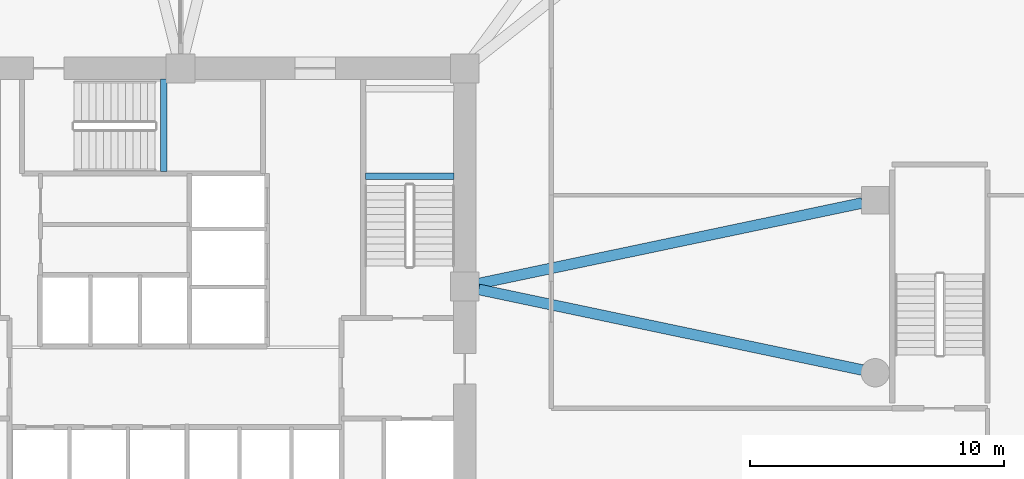
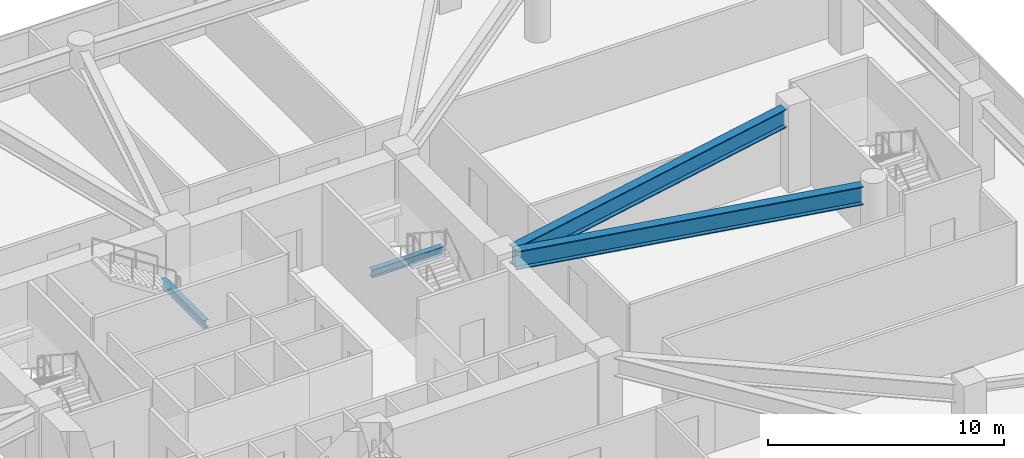
# One storey, part 5 of 21: 4 beams.
"""IFC4 building model written with IfcOpenShell, lengths in metres."""

from ifc_helpers import new_model, si_unit, derived_unit, direction, frame, origin, origin_2d, place, context, subcontext, project, spatial, i_section, extrude, material, material_profile, profile_set, type_object, element, save


model = new_model("IFC4")

# Units and contexts
model_context = context("Model", 3, precision=1e-05, world=origin(), true_north=direction((0.0, 1.0)))
body_context = subcontext(model_context, "Body", "Model", "MODEL_VIEW")
ifc_project = project(units=[si_unit("LENGTHUNIT", "METRE"), si_unit("AREAUNIT", "SQUARE_METRE"), si_unit("VOLUMEUNIT", "CUBIC_METRE"), si_unit("PLANEANGLEUNIT", "RADIAN"), si_unit("MASSUNIT", "GRAM", prefix="KILO"), derived_unit("THERMALTRANSMITTANCEUNIT", [(si_unit("POWERUNIT", "WATT"), 1), (si_unit("LENGTHUNIT", "METRE"), -2), (si_unit("THERMODYNAMICTEMPERATUREUNIT", "KELVIN"), -1)])], contexts=[model_context])

# Site, building, storey
site_placement = place(None, origin())
site = spatial("IfcSite", under=ifc_project, at=site_placement, CompositionType="ELEMENT")
building_placement = place(site_placement, origin())
building = spatial("IfcBuilding", under=site, at=building_placement, Name="Koralith Skygarden Medical Center", CompositionType="ELEMENT")
storey_placement = place(building_placement, frame((0.0, 0.0, 5.39990234375)))
storey = spatial("IfcBuildingStorey", under=building, at=storey_placement, Name="L01", CompositionType="ELEMENT", Elevation=5.39990234375)

# Beams
ifc_material = material(Name="Steel ASTM A992 Grade 50", Category="steel")
ifc_material_profile_1 = material_profile(ifc_material, i_section(OverallWidth=0.260009765625, OverallDepth=0.4150390625, WebThickness=0.010009765625, FlangeThickness=0.016845703125, at=origin_2d()), Name="W16X67")
ifc_profile_set_1 = profile_set([ifc_material_profile_1], Name="Steel ASTM A992 Grade 50")
beam_type_1 = type_object("IfcBeamType", Name="Clinical Floor Joist W16X67", PredefinedType="JOIST", material=ifc_profile_set_1)
beam_1_placement = place(storey_placement, frame((44.280029296875, 30.239990234375, 1.843017578125), z_axis=(1.0, 0.0, 0.0), x_axis=(0.0, 1.0, 0.0)))
element("IfcBeam", 1, at=beam_1_placement, inside=storey, type_object=beam_type_1, Name="L01 Stair ST2 Half-Landing Support Beam 1A", PredefinedType="JOIST", context=body_context, shape_type="SweptSolid", body=[
    extrude(i_section(OverallWidth=0.260009765625, OverallDepth=0.4150390625, WebThickness=0.010009765625, FlangeThickness=0.016845703125, at=origin_2d()), origin(), (0.0, 0.0, 1.0), 3.489990234375),
])
beam_2_placement = place(storey_placement, frame((36.340087890625, 30.43994140625, 1.843017578125), z_axis=(0.0, 1.0, 0.0), x_axis=(-1.0, 0.0, 0.0)))
element("IfcBeam", 2, at=beam_2_placement, inside=storey, type_object=beam_type_1, Name="L01 Stair ST3 Half-Landing Support Beam 1A", PredefinedType="JOIST", context=body_context, shape_type="SweptSolid", body=[
    extrude(i_section(OverallWidth=0.260009765625, OverallDepth=0.4150390625, WebThickness=0.010009765625, FlangeThickness=0.016845703125, at=origin_2d()), origin(), (0.0, 0.0, 1.0), 3.630126953125),
])
ifc_material_profile_2 = material_profile(ifc_material, i_section(OverallWidth=0.423095703125, OverallDepth=0.947998046875, WebThickness=0.02392578125, FlangeThickness=0.042724609375, at=origin_2d()), Name="W36X302")
ifc_profile_set_2 = profile_set([ifc_material_profile_2], Name="Steel ASTM A992 Grade 50")
beam_type_2 = type_object("IfcBeamType", Name="Podium Concourse Girder W36X302", PredefinedType="BEAM", material=ifc_profile_set_2)
for number, where, z_axis, x_axis, name in (
    (3, (48.748046875, 25.784912109375, 3.72607421875), (0.978625652149, -0.205649782288, 0.0), (0.205649782288, 0.978625652149, 0.0), "L01 Podium Radial Girder PRG-08"),
    (4, (48.748046875, 26.014892578125, 3.72607421875), (0.978622472518, 0.205664912619, 0.0), (-0.205664912619, 0.978622472518, 0.0), "L01 Podium Radial Girder PRG-09"),
):
    element("IfcBeam", number, at=place(storey_placement, frame(where, z_axis=z_axis, x_axis=x_axis)), inside=storey, type_object=beam_type_2, Name=name, PredefinedType="BEAM", context=body_context, shape_type="SweptSolid", body=[
        extrude(i_section(OverallWidth=0.423095703125, OverallDepth=0.947998046875, WebThickness=0.02392578125, FlangeThickness=0.042724609375, at=origin_2d()), origin(), (0.0, 0.0, 1.0), 15.453369140625),
    ])

save(model, "model.ifc")
